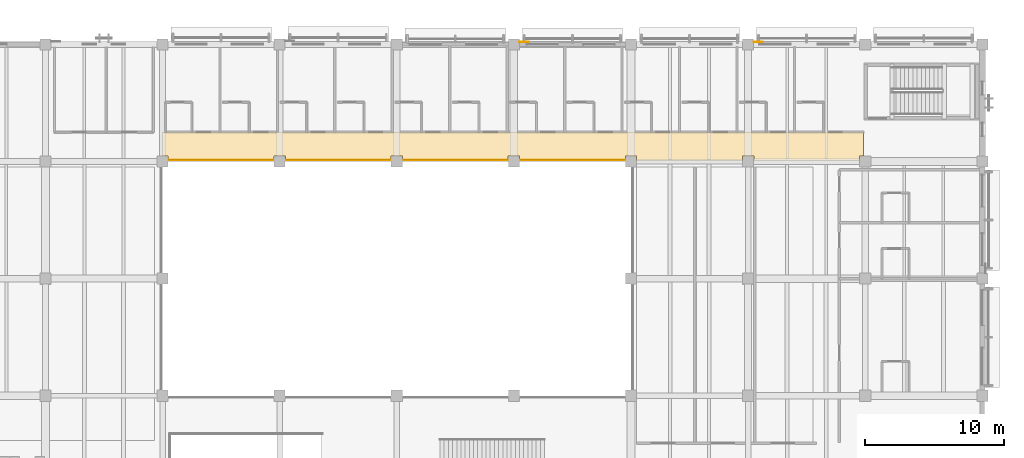
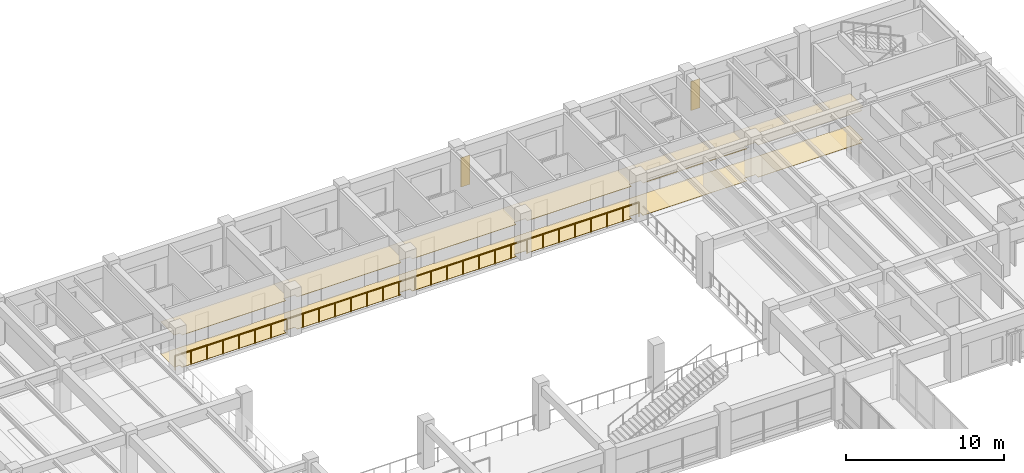
# One storey, part 117 of 118: 4 coverings, 1 railing.
"""IFC4 building model written with IfcOpenShell, lengths in metres."""

from ifc_helpers import new_model, si_unit, direction, frame, origin, origin_2d, place, context, subcontext, project, spatial, polyline, circle, outline, extrude, material, layer, layer_set, type_object, element, save


model = new_model("IFC4")

# Units and contexts
model_context = context("Model", 3, precision=1e-05, world=origin(), true_north=direction((0.0, 1.0)))
body_context = subcontext(model_context, "Body", "Model", "MODEL_VIEW")
ifc_project = project(units=[si_unit("LENGTHUNIT", "METRE"), si_unit("AREAUNIT", "SQUARE_METRE"), si_unit("VOLUMEUNIT", "CUBIC_METRE"), si_unit("PLANEANGLEUNIT", "RADIAN"), si_unit("MASSUNIT", "GRAM", prefix="KILO")], contexts=[model_context])

# Site, building, storey
site_placement = place(None, origin())
site = spatial("IfcSite", under=ifc_project, at=site_placement, CompositionType="ELEMENT")
building_placement = place(site_placement, origin())
building = spatial("IfcBuilding", under=site, at=building_placement, Name="Cumbredor Promenade Congress Hotel", CompositionType="ELEMENT")
storey_placement = place(building_placement, frame((0.0, 0.0, 3.919921875)))
storey = spatial("IfcBuildingStorey", under=building, at=storey_placement, Name="L01", CompositionType="ELEMENT", Elevation=3.919921875)

# Coverings
ifc_material_1 = material(Name="Acoustic mineral-fiber and gypsum ceiling")
ifc_layer_1 = layer(ifc_material_1, 0.028076171875, Name="Acoustic mineral-fiber and gypsum ceiling")
ifc_layer_set_1 = layer_set([ifc_layer_1], Name="Acoustic mineral-fiber and gypsum ceiling")
covering_type_1 = type_object("IfcCoveringType", Name="Acoustic Perforated Gypsum Ceiling CLG-03 28mm", PredefinedType="CEILING", material=ifc_layer_set_1)
covering_1_placement = place(storey_placement, frame((0.0, 0.0, 2.47802734375)))
element("IfcCovering", 1, at=covering_1_placement, inside=storey, type_object=covering_type_1, Name="L01 Forum North Delegate Corridor Acoustic Ceiling", PredefinedType="CEILING", context=body_context, shape_type="SweptSolid", body=[
    extrude(outline(polyline([(142.39501953125, 109.35009765625), (134.804931640625, 109.35009765625), (134.804931640625, 109.60498046875), (133.9951171875, 109.60498046875), (133.9951171875, 109.35009765625), (126.405029296875, 109.35009765625), (126.405029296875, 109.60498046875), (125.594970703125, 109.60498046875), (125.594970703125, 109.35009765625), (118.0048828125, 109.35009765625), (118.0048828125, 109.60498046875), (117.580078125, 109.60498046875), (117.580078125, 111.320068359375), (167.8701171875, 111.320068359375), (167.8701171875, 109.60498046875), (167.594970703125, 109.60498046875), (167.594970703125, 109.280029296875), (160.0048828125, 109.280029296875), (160.0048828125, 109.60498046875), (159.195068359375, 109.60498046875), (159.195068359375, 109.280029296875), (151.60498046875, 109.280029296875), (151.60498046875, 109.60498046875), (150.794921875, 109.60498046875), (150.794921875, 109.35009765625), (143.205078125, 109.35009765625), (143.205078125, 109.60498046875), (142.39501953125, 109.60498046875), (142.39501953125, 109.35009765625)])), origin(), (0.0, 0.0, 1.0), 0.028076171875),
])
ifc_material_2 = material(Name="Precast concrete C40/50", Category="concrete")
ifc_layer_2 = layer(ifc_material_2, 0.044921875, Name="Precast concrete C40/50", Category="concrete")
ifc_layer_set_2 = layer_set([ifc_layer_2], Name="Precast concrete C40/50")
covering_type_2 = type_object("IfcCoveringType", Name="Board-Formed Architectural Cladding Panel 45mm", PredefinedType="CLADDING", material=ifc_layer_set_2)
covering_2_placement = place(storey_placement, origin())
element("IfcCovering", 2, at=covering_2_placement, inside=storey, type_object=covering_type_2, Name="L01 Facade Stone Cladding Pier 076", PredefinedType="CLADDING", context=body_context, shape_type="SweptSolid", body=[
    extrude(outline(polyline([(143.200927734375, 117.739990234375), (143.85107421875, 117.739990234375), (143.85107421875, 117.784912109375), (143.200927734375, 117.784912109375), (143.200927734375, 117.739990234375)])), origin(), (0.0, 0.0, 1.0), 2.25),
])

# Railing
ifc_material_3 = material(Name="Brushed stainless steel", Category="steel")
railing_type = type_object("IfcRailingType", Name="Interior Void & Stair Guardrail GR-1100", PredefinedType="GUARDRAIL", material=ifc_material_3)
railing_placement = place(storey_placement, frame((151.320068359375, 109.320068359375, 0.0)))
element("IfcRailing", 3, at=railing_placement, inside=storey, type_object=railing_type, Name="L01 v4_forum_atrium Void Perimeter Guardrail 3", PredefinedType="GUARDRAIL", context=body_context, shape_type="SweptSolid", body=[
    extrude(circle(Radius=0.02392578125, at=origin_2d()), frame((0.0, 0.0, 1.09619140625), z_axis=(-1.0, 0.0, 0.0), x_axis=(0.0, -1.0, 0.0)), (0.0, 0.0, 1.0), 33.840087890625),
    extrude(circle(Radius=0.02099609375, at=origin_2d()), origin(), (0.0, 0.0, 1.0), 1.072021484375),
    extrude(circle(Radius=0.02099609375, at=origin_2d()), frame((-1.1669921875, 0.0, 0.0)), (0.0, 0.0, 1.0), 1.072021484375),
    extrude(circle(Radius=0.02099609375, at=origin_2d()), frame((-2.333740234375, 0.0, 0.0)), (0.0, 0.0, 1.0), 1.072021484375),
    extrude(circle(Radius=0.02099609375, at=origin_2d()), frame((-3.500732421875, 0.0, 0.0)), (0.0, 0.0, 1.0), 1.072021484375),
    extrude(circle(Radius=0.02099609375, at=origin_2d()), frame((-4.66748046875, 0.0, 0.0)), (0.0, 0.0, 1.0), 1.072021484375),
    extrude(circle(Radius=0.02099609375, at=origin_2d()), frame((-5.83447265625, 0.0, 0.0)), (0.0, 0.0, 1.0), 1.072021484375),
    extrude(circle(Radius=0.02099609375, at=origin_2d()), frame((-7.00146484375, 0.0, 0.0)), (0.0, 0.0, 1.0), 1.072021484375),
    extrude(circle(Radius=0.02099609375, at=origin_2d()), frame((-8.168212890625, 0.0, 0.0)), (0.0, 0.0, 1.0), 1.072021484375),
    extrude(circle(Radius=0.02099609375, at=origin_2d()), frame((-9.335205078125, 0.0, 0.0)), (0.0, 0.0, 1.0), 1.072021484375),
    extrude(circle(Radius=0.02099609375, at=origin_2d()), frame((-10.502197265625, 0.0, 0.0)), (0.0, 0.0, 1.0), 1.072021484375),
    extrude(circle(Radius=0.02099609375, at=origin_2d()), frame((-11.6689453125, 0.0, 0.0)), (0.0, 0.0, 1.0), 1.072021484375),
    extrude(circle(Radius=0.02099609375, at=origin_2d()), frame((-12.8359375, 0.0, 0.0)), (0.0, 0.0, 1.0), 1.072021484375),
    extrude(circle(Radius=0.02099609375, at=origin_2d()), frame((-14.002685546875, 0.0, 0.0)), (0.0, 0.0, 1.0), 1.072021484375),
    extrude(circle(Radius=0.02099609375, at=origin_2d()), frame((-15.169677734375, 0.0, 0.0)), (0.0, 0.0, 1.0), 1.072021484375),
    extrude(circle(Radius=0.02099609375, at=origin_2d()), frame((-16.336669921875, 0.0, 0.0)), (0.0, 0.0, 1.0), 1.072021484375),
    extrude(circle(Radius=0.02099609375, at=origin_2d()), frame((-17.50341796875, 0.0, 0.0)), (0.0, 0.0, 1.0), 1.072021484375),
    extrude(circle(Radius=0.02099609375, at=origin_2d()), frame((-18.67041015625, 0.0, 0.0)), (0.0, 0.0, 1.0), 1.072021484375),
    extrude(circle(Radius=0.02099609375, at=origin_2d()), frame((-19.83740234375, 0.0, 0.0)), (0.0, 0.0, 1.0), 1.072021484375),
    extrude(circle(Radius=0.02099609375, at=origin_2d()), frame((-21.004150390625, 0.0, 0.0)), (0.0, 0.0, 1.0), 1.072021484375),
    extrude(circle(Radius=0.02099609375, at=origin_2d()), frame((-22.171142578125, 0.0, 0.0)), (0.0, 0.0, 1.0), 1.072021484375),
    extrude(circle(Radius=0.02099609375, at=origin_2d()), frame((-23.337890625, 0.0, 0.0)), (0.0, 0.0, 1.0), 1.072021484375),
    extrude(circle(Radius=0.02099609375, at=origin_2d()), frame((-24.5048828125, 0.0, 0.0)), (0.0, 0.0, 1.0), 1.072021484375),
    extrude(circle(Radius=0.02099609375, at=origin_2d()), frame((-25.671875, 0.0, 0.0)), (0.0, 0.0, 1.0), 1.072021484375),
    extrude(circle(Radius=0.02099609375, at=origin_2d()), frame((-26.838623046875, 0.0, 0.0)), (0.0, 0.0, 1.0), 1.072021484375),
    extrude(circle(Radius=0.02099609375, at=origin_2d()), frame((-28.005615234375, 0.0, 0.0)), (0.0, 0.0, 1.0), 1.072021484375),
    extrude(circle(Radius=0.02099609375, at=origin_2d()), frame((-29.172607421875, 0.0, 0.0)), (0.0, 0.0, 1.0), 1.072021484375),
    extrude(circle(Radius=0.02099609375, at=origin_2d()), frame((-30.33935546875, 0.0, 0.0)), (0.0, 0.0, 1.0), 1.072021484375),
    extrude(circle(Radius=0.02099609375, at=origin_2d()), frame((-31.50634765625, 0.0, 0.0)), (0.0, 0.0, 1.0), 1.072021484375),
    extrude(circle(Radius=0.02099609375, at=origin_2d()), frame((-32.673095703125, 0.0, 0.0)), (0.0, 0.0, 1.0), 1.072021484375),
    extrude(circle(Radius=0.02099609375, at=origin_2d()), frame((-33.840087890625, 0.0, 0.0)), (0.0, 0.0, 1.0), 1.072021484375),
])

# Coverings
ifc_material_4 = material(Name="Porcelain stoneware tile", Category="masonry")
ifc_layer_3 = layer(ifc_material_4, 0.02001953125, Name="Porcelain stoneware tile", Category="masonry")
ifc_layer_set_3 = layer_set([ifc_layer_3], Name="Porcelain stoneware tile")
covering_type_3 = type_object("IfcCoveringType", Name="Porcelain Stoneware Flooring FLR-01 20mm", PredefinedType="FLOORING", material=ifc_layer_set_3)
covering_3_placement = place(storey_placement, origin())
element("IfcCovering", 4, at=covering_3_placement, inside=storey, type_object=covering_type_3, Name="L01 Forum North Delegate Corridor Porcelain Flooring", PredefinedType="FLOORING", context=body_context, shape_type="SweptSolid", body=[
    extrude(outline(polyline([(142.39501953125, 109.35009765625), (134.804931640625, 109.35009765625), (134.804931640625, 109.60498046875), (133.9951171875, 109.60498046875), (133.9951171875, 109.35009765625), (126.405029296875, 109.35009765625), (126.405029296875, 109.60498046875), (125.594970703125, 109.60498046875), (125.594970703125, 109.35009765625), (118.0048828125, 109.35009765625), (118.0048828125, 109.60498046875), (117.580078125, 109.60498046875), (117.580078125, 111.320068359375), (167.8701171875, 111.320068359375), (167.8701171875, 109.60498046875), (167.594970703125, 109.60498046875), (167.594970703125, 109.280029296875), (160.0048828125, 109.280029296875), (160.0048828125, 109.60498046875), (159.195068359375, 109.60498046875), (159.195068359375, 109.280029296875), (151.60498046875, 109.280029296875), (151.60498046875, 109.60498046875), (150.794921875, 109.60498046875), (150.794921875, 109.35009765625), (143.205078125, 109.35009765625), (143.205078125, 109.60498046875), (142.39501953125, 109.60498046875), (142.39501953125, 109.35009765625)])), origin(), (0.0, 0.0, 1.0), 0.02001953125),
])
ifc_material_5 = material(Name="Volcanic andesite ashlar cladding", Category="masonry")
ifc_layer_4 = layer(ifc_material_5, 0.034912109375, Name="Volcanic andesite ashlar cladding", Category="masonry")
ifc_layer_set_4 = layer_set([ifc_layer_4], Name="Volcanic andesite ashlar cladding")
covering_type_4 = type_object("IfcCoveringType", Name="Volcanic Andesite Ashlar Rainscreen Cladding 35mm", PredefinedType="CLADDING", material=ifc_layer_set_4)
covering_4_placement = place(storey_placement, origin())
element("IfcCovering", 5, at=covering_4_placement, inside=storey, type_object=covering_type_4, Name="L01 Facade Stone Cladding Pier 077", PredefinedType="CLADDING", context=body_context, shape_type="SweptSolid", body=[
    extrude(outline(polyline([(160.0009765625, 117.762451171875), (160.65087890625, 117.762451171875), (160.65087890625, 117.797607421875), (160.0009765625, 117.797607421875), (160.0009765625, 117.762451171875)])), origin(), (0.0, 0.0, 1.0), 2.25),
])

save(model, "model.ifc")
